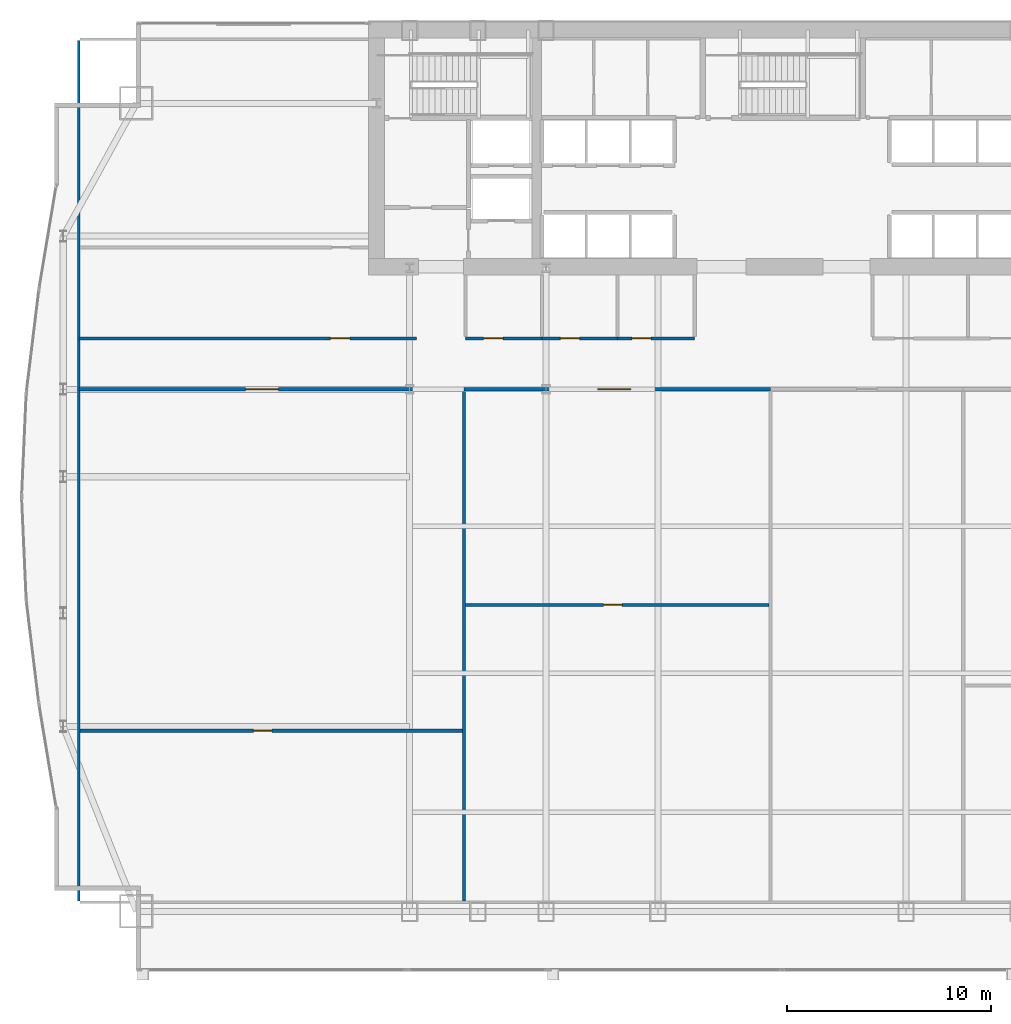
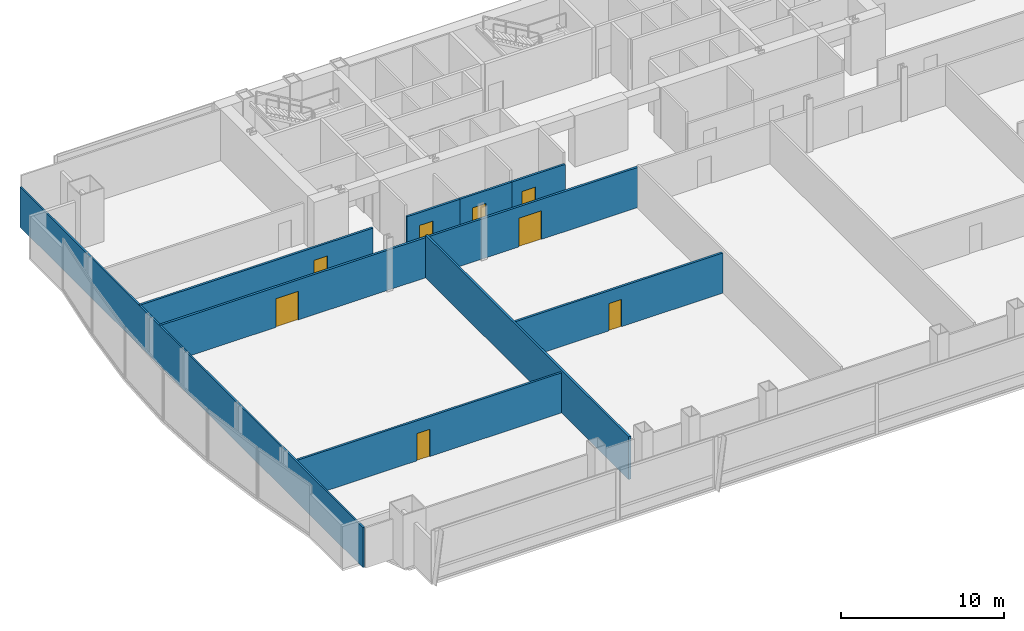
# One storey, part 26 of 32: 10 walls, 8 doors, 8 openings.
"""IFC4 building model written with IfcOpenShell, lengths in metres."""

import ifcopenshell
import ifcopenshell.guid

model = None  # the IFC model being written
_history = None  # IfcOwnerHistory: only IFC2X3 demands one
_inside = {}  # id of a spatial element -> (the spatial element, [elements in it])
_under = {}  # id of a project, library or spatial element -> (it, [spatial elements below it])
_declared = {}  # id of a project -> (the project, [libraries it declares])
_typed = {}  # id of a type object -> (the type object, [elements of that type])
_made_of = {}  # id of a material, layer set ... -> (it, [elements and type objects made of it])


def new_model(schema):
    """Start an empty IFC model of exactly this schema.

    Asked for "IFC4X3", IfcOpenShell would pick the latest addendum, in which some entities
    have other attributes; the version numbers below select the first issue.
    IFC2X3 requires an IfcOwnerHistory on every rooted entity: one is made here for all.
    """
    global model, _history
    if schema == "IFC4X3":
        model = ifcopenshell.file(schema_version=(4, 3, 0, 0))
    else:
        model = ifcopenshell.file(schema=schema)
    _inside.clear()
    _under.clear()
    _declared.clear()
    _typed.clear()
    _made_of.clear()
    _history = None
    if model.schema == "IFC2X3":
        org = make("IfcOrganization", Name="unknown")
        user = make(
            "IfcPersonAndOrganization",
            ThePerson=make("IfcPerson", FamilyName="unknown"),
            TheOrganization=org,
        )
        app = make(
            "IfcApplication",
            ApplicationDeveloper=org,
            Version="unknown",
            ApplicationFullName="unknown",
            ApplicationIdentifier="unknown",
        )
        _history = make(
            "IfcOwnerHistory",
            OwningUser=user,
            OwningApplication=app,
            ChangeAction="ADDED",
            CreationDate=0,
        )
    return model


def make(cls, **values):
    """One entity of the class cls with the attributes given. An attribute that is None is left unset."""
    return model.create_entity(
        cls, **{name: value for name, value in values.items() if value is not None}
    )


def rooted(cls, **values):
    """An entity with a GlobalId (a new one), such as an element, a storey or a relation."""
    return make(cls, GlobalId=ifcopenshell.guid.new(), OwnerHistory=_history, **values)


def si_unit(unit_type, name, prefix=None):
    """IfcSIUnit, for example si_unit("LENGTHUNIT", "METRE", prefix="MILLI")."""
    return make("IfcSIUnit", UnitType=unit_type, Prefix=prefix, Name=name)


def assignment(units):
    """IfcUnitAssignment: the units of a project."""
    return None if units is None else make("IfcUnitAssignment", Units=units)


def point(xyz):
    """IfcCartesianPoint."""
    return None if xyz is None else make("IfcCartesianPoint", Coordinates=xyz)


def direction(xyz):
    """IfcDirection."""
    return None if xyz is None else make("IfcDirection", DirectionRatios=xyz)


def frame(location, z_axis=None, x_axis=None):
    """IfcAxis2Placement3D, a coordinate frame: its origin and axes. An axis left out is left unset."""
    return make(
        "IfcAxis2Placement3D",
        Location=point(location),
        Axis=direction(z_axis),
        RefDirection=direction(x_axis),
    )


def frame_2d(location, x_axis=None):
    """IfcAxis2Placement2D, a coordinate frame in the plane: its origin and x axis."""
    return make(
        "IfcAxis2Placement2D", Location=point(location), RefDirection=direction(x_axis)
    )


def origin():
    """The frame at (0, 0, 0) with its axes left unset."""
    return frame((0.0, 0.0, 0.0))


def place(relative_to, where):
    """IfcLocalPlacement: puts the frame where relative to a parent placement (None: the world)."""
    return make(
        "IfcLocalPlacement", PlacementRelTo=relative_to, RelativePlacement=where
    )


def context(
    kind, dimensions, precision=None, world=None, true_north=None, identifier=None
):
    """IfcGeometricRepresentationContext, for example the 3D "Model" context."""
    return make(
        "IfcGeometricRepresentationContext",
        ContextIdentifier=identifier,
        ContextType=kind,
        CoordinateSpaceDimension=dimensions,
        Precision=precision,
        WorldCoordinateSystem=world,
        TrueNorth=true_north,
    )


def subcontext(parent, identifier, kind, view, scale=None):
    """IfcGeometricRepresentationSubContext, for example "Body" below "Model"."""
    return make(
        "IfcGeometricRepresentationSubContext",
        ContextIdentifier=identifier,
        ContextType=kind,
        ParentContext=parent,
        TargetScale=scale,
        TargetView=view,
    )


def project(units=None, contexts=None):
    """IfcProject with its units and contexts."""
    return rooted(
        "IfcProject",
        Name="project",
        RepresentationContexts=contexts,
        UnitsInContext=assignment(units),
    )


def spatial(cls, under=None, at=None, **own):
    """A site, building, storey or space (cls), placed at a placement, below another one or the project."""
    s = rooted(cls, ObjectPlacement=at, **own)
    if under is not None:
        _under.setdefault(under.id(), (under, []))[1].append(s)
    return s


def profile(cls, at=None, kind="AREA", **sizes):
    """A parametric profile (cls). Its sizes go by their IFC names, for example OverallWidth=200.0."""
    return make(cls, ProfileType=kind, Position=at, **sizes)


def rectangle(**sizes):
    """IfcRectangleProfileDef."""
    return profile("IfcRectangleProfileDef", **sizes)


def extrude(swept, where, along, depth):
    """IfcExtrudedAreaSolid: the profile swept, set in the frame where, extruded along a direction by depth."""
    return make(
        "IfcExtrudedAreaSolid",
        SweptArea=swept,
        Position=where,
        ExtrudedDirection=direction(along),
        Depth=depth,
    )


def shape(context_of_items, identifier, shape_type, items):
    """IfcShapeRepresentation: the items that make up one representation, for example the "Body"."""
    return make(
        "IfcShapeRepresentation",
        ContextOfItems=context_of_items,
        RepresentationIdentifier=identifier,
        RepresentationType=shape_type,
        Items=items,
    )


def material(Name=None, Category=None):
    """IfcMaterial."""
    return make("IfcMaterial", Name=Name, Category=Category)


def layer(
    of_material, thickness, ventilated=None, Name=None, Category=None, Priority=None
):
    """IfcMaterialLayer: one layer of a wall or slab, of a material (None: an air gap)."""
    return make(
        "IfcMaterialLayer",
        Material=of_material,
        LayerThickness=thickness,
        IsVentilated=ventilated,
        Name=Name,
        Category=Category,
        Priority=Priority,
    )


def layer_set(layers, Name=None):
    """IfcMaterialLayerSet."""
    return make("IfcMaterialLayerSet", MaterialLayers=layers, LayerSetName=Name)


def made_of(thing, what):
    """Note that an element or type object is made of a material, layer set ...; save() writes the relation."""
    if what is not None:
        _made_of.setdefault(what.id(), (what, []))[1].append(thing)
    return thing


def type_object(cls, material=None, **own):
    """A type object (cls), such as IfcWallType, which elements share."""
    return made_of(rooted(cls, **own), material)


def element(
    cls,
    number,
    at=None,
    inside=None,
    cuts=None,
    type_object=None,
    material=None,
    context=None,
    identifier="Body",
    shape_type=None,
    held_by="IfcProductDefinitionShape",
    body=None,
    shapes=None,
    **own,
):
    """One element of the class cls, such as IfcWall. Its Tag is "e" and its number.

    at: its placement. inside: the storey or other place that contains it. cuts: it is an
    opening in that element (IfcRelVoidsElement). A single representation is given by context,
    identifier, shape_type and body (its items); several are given by shapes. held_by: the class
    of the entity that holds the representations. save() writes the other relations.
    """
    e = rooted(cls, Tag="e%d" % number, ObjectPlacement=at, **own)
    if body is not None:
        shapes = [shape(context, identifier, shape_type, body)]
    if shapes is not None:
        e.Representation = make(held_by, Representations=shapes)
    if inside is not None:
        _inside.setdefault(inside.id(), (inside, []))[1].append(e)
    if cuts is not None:
        rooted(
            "IfcRelVoidsElement", RelatingBuildingElement=cuts, RelatedOpeningElement=e
        )
    if type_object is not None:
        _typed.setdefault(type_object.id(), (type_object, []))[1].append(e)
    return made_of(e, material)


def fill(opening, filler):
    """IfcRelFillsElement: the door or window that sits in an opening."""
    return rooted(
        "IfcRelFillsElement",
        RelatingOpeningElement=opening,
        RelatedBuildingElement=filler,
    )


def aggregate(whole, parts):
    """IfcRelAggregates: a whole, such as a stair, and the parts it consists of."""
    return rooted("IfcRelAggregates", RelatingObject=whole, RelatedObjects=parts)


def save(model, path):
    """Write the relations noted so far, then the file.

    IfcRelAggregates (storeys below a building ...), IfcRelContainedInSpatialStructure (elements
    in a storey), IfcRelDefinesByType, IfcRelAssociatesMaterial and IfcRelDeclares: one each for
    every whole, place, type object, material and project.
    """
    for whole, parts in _under.values():
        aggregate(whole, parts)
    for where, things in _inside.values():
        rooted(
            "IfcRelContainedInSpatialStructure",
            RelatedElements=things,
            RelatingStructure=where,
        )
    for kind, things in _typed.values():
        rooted("IfcRelDefinesByType", RelatedObjects=things, RelatingType=kind)
    for what, things in _made_of.values():
        rooted("IfcRelAssociatesMaterial", RelatedObjects=things, RelatingMaterial=what)
    for by, libraries in _declared.values():
        rooted("IfcRelDeclares", RelatingContext=by, RelatedDefinitions=libraries)
    model.write(path)


model = new_model("IFC4")

# Units and contexts
model_context = context("Model", 3, precision=1e-05, world=origin(), true_north=direction((0.0, 1.0)))
body_context = subcontext(model_context, "Body", "Model", "MODEL_VIEW")
ifc_project = project(units=[si_unit("LENGTHUNIT", "METRE"), si_unit("AREAUNIT", "SQUARE_METRE"), si_unit("VOLUMEUNIT", "CUBIC_METRE"), si_unit("PLANEANGLEUNIT", "RADIAN"), si_unit("MASSUNIT", "GRAM", prefix="KILO")], contexts=[model_context])

# Site, building, storey
site_placement = place(None, origin())
site = spatial("IfcSite", under=ifc_project, at=site_placement, CompositionType="ELEMENT")
building_placement = place(site_placement, origin())
building = spatial("IfcBuilding", under=site, at=building_placement, Name="Khoronbel Lancet Exchange", CompositionType="ELEMENT")
storey_placement = place(building_placement, frame((0.0, 0.0, 41.800048828125)))
storey = spatial("IfcBuildingStorey", under=building, at=storey_placement, Name="L09", CompositionType="ELEMENT", Elevation=41.800048828125)

# Wall, opening, door
ifc_material_1 = material(Name="Acoustic Metal-Stud & Mineral-Wool Gypsum Partition 120 mm", Category="gypsum")
ifc_layer_1 = layer(ifc_material_1, 0.1201171875, Name="Acoustic Metal-Stud & Mineral-Wool Gypsum Partition 120 mm")
ifc_layer_set_1 = layer_set([ifc_layer_1], Name="Acoustic Metal-Stud & Mineral-Wool Gypsum Partition 120 mm")
wall_type_1 = type_object("IfcWallType", Name="WL-PRT120", PredefinedType="PARTITIONING", material=ifc_layer_set_1)
wall_1_placement = place(storey_placement, frame((2.094970703125, 18.991455078125, 0.0), z_axis=(0.0, 0.0, 1.0), x_axis=(1.0, 0.0, 0.0)))
wall_1 = element("IfcWall", 1, at=wall_1_placement, inside=storey, type_object=wall_type_1, Name="Level L09 interior partition PW-Z1S-H1", PredefinedType="PARTITIONING", context=body_context, shape_type="SweptSolid", body=[
    extrude(rectangle(XDim=18.716064453125, YDim=0.14990234375, at=frame_2d((9.35791015625, 0.0))), origin(), (0.0, 0.0, 1.0), 3.010009765625),
])
opening_1_placement = place(wall_1_placement, frame((8.4873046875, 0.0, 0.0)))
opening_1 = element("IfcOpeningElement", 2, at=opening_1_placement, cuts=wall_1, Name="Opening D5", PredefinedType="OPENING", context=body_context, shape_type="SweptSolid", body=[
    extrude(rectangle(XDim=0.89990234375, YDim=2.050048828125, at=frame_2d((0.449951171875, 1.02490234375))), frame((0.0, 0.0849609375, 0.0), z_axis=(0.0, -1.0, 0.0), x_axis=(1.0, 0.0, 0.0)), (0.0, 0.0, 1.0), 0.169921875),
])
ifc_material_2 = material(Name="Acoustic Timber Pantry & Support Door", Category="wood")
door_type_1 = type_object("IfcDoorType", Name="DR-D5", OperationType="NOTDEFINED", PredefinedType="DOOR", material=ifc_material_2)
door_1_placement = place(opening_1_placement, origin())
door_1 = element("IfcDoor", 3, at=door_1_placement, inside=storey, type_object=door_type_1, Name="Z1S inner door 1 L09-1", OperationType="SINGLE_SWING_LEFT", OverallHeight=2.050048828125, OverallWidth=0.89990234375, PredefinedType="DOOR", context=body_context, shape_type="SweptSolid", body=[
    extrude(rectangle(XDim=0.89990234375, YDim=2.050048828125, at=frame_2d((0.449951171875, 1.02490234375))), frame((0.0, 0.02490234375, 0.0), z_axis=(0.0, -1.0, 0.0), x_axis=(1.0, 0.0, 0.0)), (0.0, 0.0, 1.0), 0.050048828125),
])
fill(opening_1, door_1)

wall_2_placement = place(storey_placement, frame((20.970947265625, 25.1484375, 0.0), z_axis=(0.0, 0.0, 1.0), x_axis=(1.0, 0.0, 0.0)))
wall_2 = element("IfcWall", 4, at=wall_2_placement, inside=storey, type_object=wall_type_1, Name="Level L09 interior partition PW-Z1S-H2", PredefinedType="PARTITIONING", context=body_context, shape_type="SweptSolid", body=[
    extrude(rectangle(XDim=14.840576171875, YDim=0.14990234375, at=frame_2d((7.42041015625, 0.0))), origin(), (0.0, 0.0, 1.0), 3.010009765625),
])
opening_2_placement = place(wall_2_placement, frame((6.750244140625, 0.0, 0.0)))
opening_2 = element("IfcOpeningElement", 5, at=opening_2_placement, cuts=wall_2, Name="Opening D5", PredefinedType="OPENING", context=body_context, shape_type="SweptSolid", body=[
    extrude(rectangle(XDim=0.89990234375, YDim=2.050048828125, at=frame_2d((0.449951171875, 1.02490234375))), frame((0.0, 0.0849609375, 0.0), z_axis=(0.0, -1.0, 0.0), x_axis=(1.0, 0.0, 0.0)), (0.0, 0.0, 1.0), 0.169921875),
])
door_2_placement = place(opening_2_placement, origin())
door_2 = element("IfcDoor", 6, at=door_2_placement, inside=storey, type_object=door_type_1, Name="Z1S inner door 2 L09-1", OperationType="SINGLE_SWING_RIGHT", OverallHeight=2.050048828125, OverallWidth=0.89990234375, PredefinedType="DOOR", context=body_context, shape_type="SweptSolid", body=[
    extrude(rectangle(XDim=0.89990234375, YDim=2.050048828125, at=frame_2d((0.449951171875, 1.02490234375))), frame((0.0, 0.02490234375, 0.0), z_axis=(0.0, -1.0, 0.0), x_axis=(1.0, 0.0, 0.0)), (0.0, 0.0, 1.0), 0.050048828125),
])
fill(opening_2, door_2)

# Wall
wall_3_placement = place(storey_placement, frame((2.030029296875, 10.6650390625, 0.0), z_axis=(0.0, 0.0, 1.0), x_axis=(0.0, 1.0, 0.0)))
element("IfcWall", 7, at=wall_3_placement, inside=storey, type_object=wall_type_1, Name="Level L09 interior partition PW-LIN-W", PredefinedType="PARTITIONING", context=body_context, shape_type="SweptSolid", body=[
    extrude(rectangle(XDim=42.10986328125, YDim=0.1201171875, at=frame_2d((21.054931640625, 0.0))), origin(), (0.0, 0.0, 1.0), 3.010009765625),
])

# Wall, opening, door
ifc_material_3 = material(Name="Fire-Rated Twin-Stud Acoustic Gypsum Partition 150 mm", Category="gypsum")
ifc_layer_2 = layer(ifc_material_3, 0.14990234375, Name="Fire-Rated Twin-Stud Acoustic Gypsum Partition 150 mm")
ifc_layer_set_2 = layer_set([ifc_layer_2], Name="Fire-Rated Twin-Stud Acoustic Gypsum Partition 150 mm")
wall_type_2 = type_object("IfcWallType", Name="WL-PRT150C", PredefinedType="PARTITIONING", material=ifc_layer_set_2)
wall_4_placement = place(storey_placement, frame((20.949951171875, 38.199951171875, 0.0), z_axis=(0.0, 0.0, 1.0), x_axis=(1.0, 0.0, 0.0)))
wall_4 = element("IfcWall", 8, at=wall_4_placement, inside=storey, type_object=wall_type_2, Name="Level L09 interior partition PW-WC-S1", PredefinedType="PARTITIONING", context=body_context, shape_type="SweptSolid", body=[
    extrude(rectangle(XDim=3.75, YDim=0.14990234375, at=frame_2d((1.875, 0.0))), origin(), (0.0, 0.0, 1.0), 3.010009765625),
])
opening_3_placement = place(wall_4_placement, frame((0.89990234375, 0.0, 0.0)))
opening_3 = element("IfcOpeningElement", 9, at=opening_3_placement, cuts=wall_4, Name="Opening D4", PredefinedType="OPENING", context=body_context, shape_type="SweptSolid", body=[
    extrude(rectangle(XDim=0.949951171875, YDim=2.050048828125, at=frame_2d((0.47509765625, 1.02490234375))), frame((0.0, 0.0849609375, 0.0), z_axis=(0.0, -1.0, 0.0), x_axis=(1.0, 0.0, 0.0)), (0.0, 0.0, 1.0), 0.169921875),
])
ifc_material_4 = material(Name="Moisture-Resistant HPL Washroom Door", Category="wood")
door_type_2 = type_object("IfcDoorType", Name="DR-D4", OperationType="NOTDEFINED", PredefinedType="DOOR", material=ifc_material_4)
door_3_placement = place(opening_3_placement, origin())
door_3 = element("IfcDoor", 10, at=door_3_placement, inside=storey, type_object=door_type_2, Name="Male washroom door L09-1", OperationType="SINGLE_SWING_RIGHT", OverallHeight=2.050048828125, OverallWidth=0.949951171875, PredefinedType="DOOR", context=body_context, shape_type="SweptSolid", body=[
    extrude(rectangle(XDim=0.949951171875, YDim=2.050048828125, at=frame_2d((0.47509765625, 1.02490234375))), frame((0.0, 0.02490234375, 0.0), z_axis=(0.0, -1.0, 0.0), x_axis=(1.0, 0.0, 0.0)), (0.0, 0.0, 1.0), 0.050048828125),
])
fill(opening_3, door_3)

wall_5_placement = place(storey_placement, frame((24.699951171875, 38.199951171875, 0.0), z_axis=(0.0, 0.0, 1.0), x_axis=(1.0, 0.0, 0.0)))
wall_5 = element("IfcWall", 11, at=wall_5_placement, inside=storey, type_object=wall_type_2, Name="Level L09 interior partition PW-WC-S2", PredefinedType="PARTITIONING", context=body_context, shape_type="SweptSolid", body=[
    extrude(rectangle(XDim=3.699951171875, YDim=0.14990234375, at=frame_2d((1.85009765625, 0.0))), origin(), (0.0, 0.0, 1.0), 3.010009765625),
])
opening_4_placement = place(wall_5_placement, frame((0.89990234375, 0.0, 0.0)))
opening_4 = element("IfcOpeningElement", 12, at=opening_4_placement, cuts=wall_5, Name="Opening D4", PredefinedType="OPENING", context=body_context, shape_type="SweptSolid", body=[
    extrude(rectangle(XDim=0.949951171875, YDim=2.050048828125, at=frame_2d((0.47509765625, 1.02490234375))), frame((0.0, 0.0849609375, 0.0), z_axis=(0.0, -1.0, 0.0), x_axis=(1.0, 0.0, 0.0)), (0.0, 0.0, 1.0), 0.169921875),
])
door_4_placement = place(opening_4_placement, origin())
door_4 = element("IfcDoor", 13, at=door_4_placement, inside=storey, type_object=door_type_2, Name="Female washroom door L09-1", OperationType="SINGLE_SWING_LEFT", OverallHeight=2.050048828125, OverallWidth=0.949951171875, PredefinedType="DOOR", context=body_context, shape_type="SweptSolid", body=[
    extrude(rectangle(XDim=0.949951171875, YDim=2.050048828125, at=frame_2d((0.47509765625, 1.02490234375))), frame((0.0, 0.02490234375, 0.0), z_axis=(0.0, -1.0, 0.0), x_axis=(1.0, 0.0, 0.0)), (0.0, 0.0, 1.0), 0.050048828125),
])
fill(opening_4, door_4)

wall_6_placement = place(storey_placement, frame((28.39990234375, 38.199951171875, 0.0), z_axis=(0.0, 0.0, 1.0), x_axis=(1.0, 0.0, 0.0)))
wall_6 = element("IfcWall", 14, at=wall_6_placement, inside=storey, type_object=wall_type_2, Name="Level L09 interior partition PW-WC-S3", PredefinedType="PARTITIONING", context=body_context, shape_type="SweptSolid", body=[
    extrude(rectangle(XDim=3.780029296875, YDim=0.14990234375, at=frame_2d((1.89013671875, 0.0))), origin(), (0.0, 0.0, 1.0), 3.010009765625),
])
opening_5_placement = place(wall_6_placement, frame((0.699951171875, 0.0, 0.0)))
opening_5 = element("IfcOpeningElement", 15, at=opening_5_placement, cuts=wall_6, Name="Opening D4", PredefinedType="OPENING", context=body_context, shape_type="SweptSolid", body=[
    extrude(rectangle(XDim=0.949951171875, YDim=2.050048828125, at=frame_2d((0.47509765625, 1.02490234375))), frame((0.0, 0.0849609375, 0.0), z_axis=(0.0, -1.0, 0.0), x_axis=(1.0, 0.0, 0.0)), (0.0, 0.0, 1.0), 0.169921875),
])
door_5_placement = place(opening_5_placement, origin())
door_5 = element("IfcDoor", 16, at=door_5_placement, inside=storey, type_object=door_type_2, Name="Accessible WC door L09-1", OperationType="SINGLE_SWING_RIGHT", OverallHeight=2.050048828125, OverallWidth=0.949951171875, PredefinedType="DOOR", context=body_context, shape_type="SweptSolid", body=[
    extrude(rectangle(XDim=0.949951171875, YDim=2.050048828125, at=frame_2d((0.47509765625, 1.02490234375))), frame((0.0, 0.02490234375, 0.0), z_axis=(0.0, -1.0, 0.0), x_axis=(1.0, 0.0, 0.0)), (0.0, 0.0, 1.0), 0.050048828125),
])
fill(opening_5, door_5)

wall_7_placement = place(storey_placement, frame((2.030029296875, 38.199951171875, 0.0), z_axis=(0.0, 0.0, 1.0), x_axis=(1.0, 0.0, 0.0)))
wall_7 = element("IfcWall", 17, at=wall_7_placement, inside=storey, type_object=wall_type_2, Name="Level L09 interior partition PW-NW-S", PredefinedType="PARTITIONING", context=body_context, shape_type="SweptSolid", body=[
    extrude(rectangle(XDim=16.52001953125, YDim=0.14990234375, at=frame_2d((8.260009765625, 0.0))), origin(), (0.0, 0.0, 1.0), 3.010009765625),
])
opening_6_placement = place(wall_7_placement, frame((12.320068359375, 0.0, 0.0)))
opening_6 = element("IfcOpeningElement", 18, at=opening_6_placement, cuts=wall_7, Name="Opening D1", PredefinedType="OPENING", context=body_context, shape_type="SweptSolid", body=[
    extrude(rectangle(XDim=0.949951171875, YDim=2.050048828125, at=frame_2d((0.47509765625, 1.02490234375))), frame((0.0, 0.0849609375, 0.0), z_axis=(0.0, -1.0, 0.0), x_axis=(1.0, 0.0, 0.0)), (0.0, 0.0, 1.0), 0.169921875),
])
ifc_material_5 = material(Name="Acoustic Veneered Timber & Bronze Frame Door", Category="wood")
door_type_3 = type_object("IfcDoorType", Name="DR-D1", OperationType="NOTDEFINED", PredefinedType="DOOR", material=ifc_material_5)
door_6_placement = place(opening_6_placement, origin())
door_6 = element("IfcDoor", 19, at=door_6_placement, inside=storey, type_object=door_type_3, Name="NW corner room door L09-1", OperationType="SINGLE_SWING_LEFT", OverallHeight=2.050048828125, OverallWidth=0.949951171875, PredefinedType="DOOR", context=body_context, shape_type="SweptSolid", body=[
    extrude(rectangle(XDim=0.949951171875, YDim=2.050048828125, at=frame_2d((0.47509765625, 1.02490234375))), frame((0.0, 0.02490234375, 0.0), z_axis=(0.0, -1.0, 0.0), x_axis=(1.0, 0.0, 0.0)), (0.0, 0.0, 1.0), 0.050048828125),
])
fill(opening_6, door_6)

# Wall
wall_8_placement = place(storey_placement, frame((20.89111328125, 10.6650390625, 0.0), z_axis=(0.0, 0.0, 1.0), x_axis=(0.0, 1.0, 0.0)))
element("IfcWall", 20, at=wall_8_placement, inside=storey, type_object=wall_type_2, Name="Level L09 interior partition PW-Z1S-V1", PredefinedType="PARTITIONING", context=body_context, shape_type="SweptSolid", body=[
    extrude(rectangle(XDim=24.949951171875, YDim=0.14990234375, at=frame_2d((12.47509765625, 0.0))), origin(), (0.0, 0.0, 1.0), 3.2099609375),
])

# Wall, opening, door
ifc_material_6 = material(Name="Fire-Rated Twin-Stud Acoustic Gypsum Partition 160 mm", Category="gypsum")
ifc_layer_3 = layer(ifc_material_6, 0.159912109375, Name="Fire-Rated Twin-Stud Acoustic Gypsum Partition 160 mm")
ifc_layer_set_3 = layer_set([ifc_layer_3], Name="Fire-Rated Twin-Stud Acoustic Gypsum Partition 160 mm")
wall_type_3 = type_object("IfcWallType", Name="WL-PRT160C", PredefinedType="PARTITIONING", material=ifc_layer_set_3)
wall_9_placement = place(storey_placement, frame((2.030029296875, 35.699951171875, 0.0), z_axis=(0.0, 0.0, 1.0), x_axis=(1.0, 0.0, 0.0)))
wall_9 = element("IfcWall", 21, at=wall_9_placement, inside=storey, type_object=wall_type_3, Name="Level L09 interior partition PW-Z1S-COR1", PredefinedType="PARTITIONING", context=body_context, shape_type="SweptSolid", body=[
    extrude(rectangle(XDim=18.861083984375, YDim=0.159912109375, at=frame_2d((9.4306640625, 0.0))), origin(), (0.0, 0.0, 1.0), 3.010009765625),
])
opening_7_placement = place(wall_9_placement, frame((8.171630859375, 0.0, 0.0)))
opening_7 = element("IfcOpeningElement", 22, at=opening_7_placement, cuts=wall_9, Name="Opening D3", PredefinedType="OPENING", context=body_context, shape_type="SweptSolid", body=[
    extrude(rectangle(XDim=1.60009765625, YDim=2.14990234375, at=frame_2d((0.800048828125, 1.074951171875))), frame((0.0, 0.08984375, 0.0), z_axis=(0.0, -1.0, 0.0), x_axis=(1.0, 0.0, 0.0)), (0.0, 0.0, 1.0), 0.179931640625),
])
ifc_material_7 = material(Name="Glazed Bronze-Framed Double Suite Door", Category="aluminium")
door_type_4 = type_object("IfcDoorType", Name="DR-D3", OperationType="NOTDEFINED", PredefinedType="DOOR", material=ifc_material_7)
door_7_placement = place(opening_7_placement, origin())
door_7 = element("IfcDoor", 23, at=door_7_placement, inside=storey, type_object=door_type_4, Name="Z1S bay 1 door L09-1", OperationType="DOUBLE_DOOR_SINGLE_SWING", OverallHeight=2.14990234375, OverallWidth=1.60009765625, PredefinedType="DOOR", context=body_context, shape_type="SweptSolid", body=[
    extrude(rectangle(XDim=1.60009765625, YDim=2.14990234375, at=frame_2d((0.800048828125, 1.074951171875))), frame((0.0, 0.02490234375, 0.0), z_axis=(0.0, -1.0, 0.0), x_axis=(1.0, 0.0, 0.0)), (0.0, 0.0, 1.0), 0.050048828125),
])
fill(opening_7, door_7)

wall_10_placement = place(storey_placement, frame((20.89111328125, 35.699951171875, 0.0), z_axis=(0.0, 0.0, 1.0), x_axis=(1.0, 0.0, 0.0)))
wall_10 = element("IfcWall", 24, at=wall_10_placement, inside=storey, type_object=wall_type_3, Name="Level L09 interior partition PW-Z1S-COR2", PredefinedType="PARTITIONING", context=body_context, shape_type="SweptSolid", body=[
    extrude(rectangle(XDim=15.00048828125, YDim=0.159912109375, at=frame_2d((7.500244140625, 0.0))), origin(), (0.0, 0.0, 1.0), 3.010009765625),
])
opening_8_placement = place(wall_10_placement, frame((6.55029296875, 0.0, 0.0)))
opening_8 = element("IfcOpeningElement", 25, at=opening_8_placement, cuts=wall_10, Name="Opening D3", PredefinedType="OPENING", context=body_context, shape_type="SweptSolid", body=[
    extrude(rectangle(XDim=1.60009765625, YDim=2.14990234375, at=frame_2d((0.800048828125, 1.074951171875))), frame((0.0, 0.08984375, 0.0), z_axis=(0.0, -1.0, 0.0), x_axis=(1.0, 0.0, 0.0)), (0.0, 0.0, 1.0), 0.179931640625),
])
door_8_placement = place(opening_8_placement, origin())
door_8 = element("IfcDoor", 26, at=door_8_placement, inside=storey, type_object=door_type_4, Name="Z1S bay 2 door L09-1", OperationType="DOUBLE_DOOR_SINGLE_SWING", OverallHeight=2.14990234375, OverallWidth=1.60009765625, PredefinedType="DOOR", context=body_context, shape_type="SweptSolid", body=[
    extrude(rectangle(XDim=1.60009765625, YDim=2.14990234375, at=frame_2d((0.800048828125, 1.074951171875))), frame((0.0, 0.02490234375, 0.0), z_axis=(0.0, -1.0, 0.0), x_axis=(1.0, 0.0, 0.0)), (0.0, 0.0, 1.0), 0.050048828125),
])
fill(opening_8, door_8)

save(model, "model.ifc")
